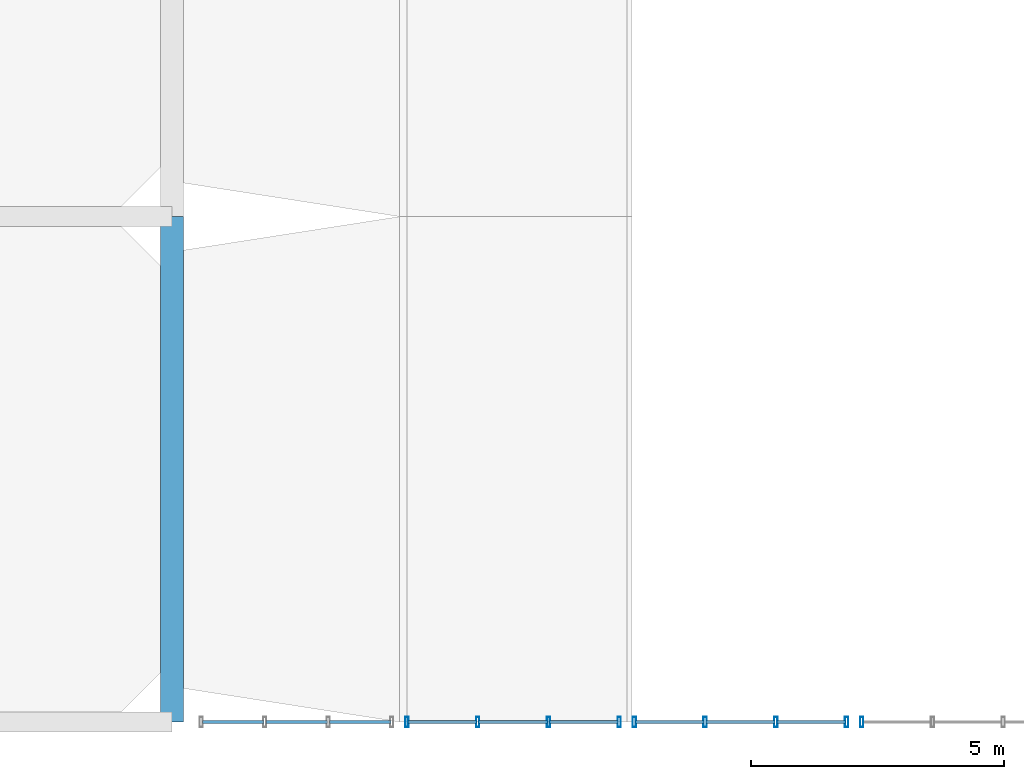
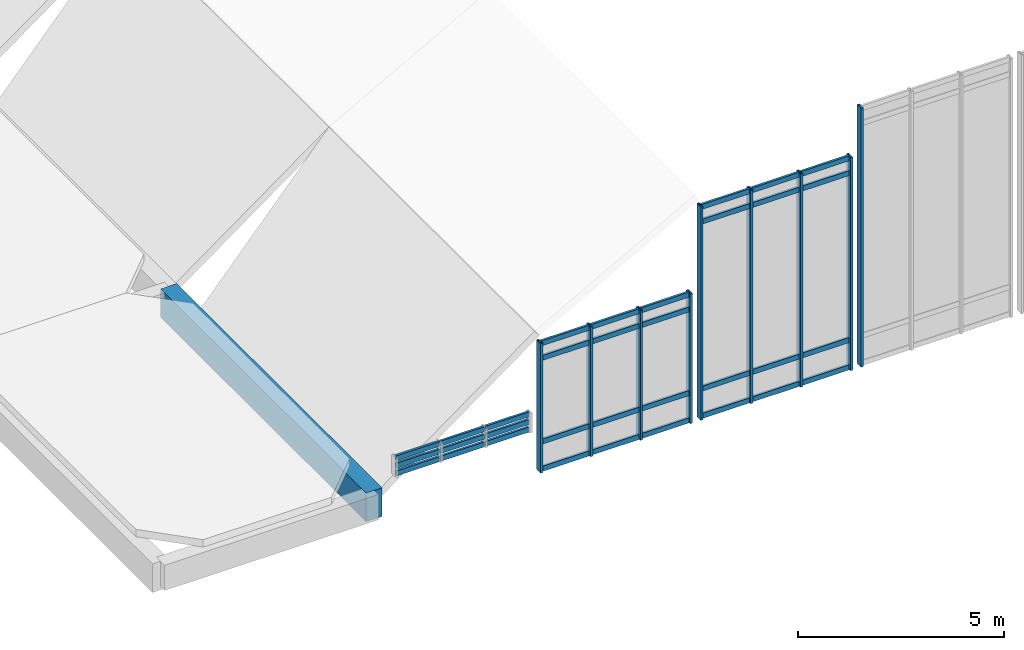
# One storey, part 42 of 82: 42 members, 1 beam, 4 elements without a shape of their own.
"""IFC4 building model written with IfcOpenShell, lengths in metres."""

from ifc_helpers import new_model, si_unit, direction, frame, origin, origin_2d, place, context, subcontext, project, spatial, rectangle, hollow_rectangle, extrude, material, layer, layer_set, material_profile, profile_set, type_object, element, aggregate, save


model = new_model("IFC4")

# Units and contexts
model_context = context("Model", 3, precision=1e-05, world=origin(), true_north=direction((0.0, 1.0)))
body_context = subcontext(model_context, "Body", "Model", "MODEL_VIEW")
ifc_project = project(units=[si_unit("LENGTHUNIT", "METRE"), si_unit("AREAUNIT", "SQUARE_METRE"), si_unit("VOLUMEUNIT", "CUBIC_METRE"), si_unit("PLANEANGLEUNIT", "RADIAN"), si_unit("MASSUNIT", "GRAM", prefix="KILO")], contexts=[model_context])

# Site, building, storey
site_placement = place(None, origin())
site = spatial("IfcSite", under=ifc_project, at=site_placement, CompositionType="ELEMENT")
building_placement = place(site_placement, origin())
building = spatial("IfcBuilding", under=site, at=building_placement, Name="Mersad Railyard Sports Hall", CompositionType="ELEMENT")
storey_placement = place(building_placement, frame((0.0, 0.0, 13.199951171875)))
storey = spatial("IfcBuildingStorey", under=building, at=storey_placement, Name="L03", CompositionType="ELEMENT", Elevation=13.199951171875)

# Curtain wall, members
ifc_material_1 = material(Name="Aluminium 6063-T6", Category="aluminium")
ifc_layer_1 = layer(ifc_material_1, 0.199951171875)
ifc_layer_set_1 = layer_set([ifc_layer_1], Name="Aluminium 6063-T6")
curtain_wall_type_1 = type_object("IfcCurtainWallType", Name="ARC-CW-CW42", PredefinedType="USERDEFINED", material=ifc_layer_set_1)
curtain_wall_1_placement = place(storey_placement, origin())
curtain_wall_1 = element("IfcCurtainWall", 1, at=curtain_wall_1_placement, inside=storey, type_object=curtain_wall_type_1, Name="Curtain wall CW42-0114", ObjectType="CURTAIN WALL", PredefinedType="USERDEFINED")
ifc_material_profile_1 = material_profile(ifc_material_1, hollow_rectangle(XDim=0.06494140625, YDim=0.199951171875, WallThickness=0.0048828125, at=origin_2d()), Name="AL MULLION 65x200x5")
ifc_profile_set_1 = profile_set([ifc_material_profile_1], Name="Aluminium 6063-T6")
member_type_1 = type_object("IfcMemberType", Name="ARC-CW-MUL02", PredefinedType="MULLION", material=ifc_profile_set_1)
member_1_placement = place(storey_placement, frame((145.85009765625, 3.5, -1.27001953125), z_axis=(0.0, 0.0, 1.0), x_axis=(1.0, 0.0, 0.0)))
member_1 = element("IfcMember", 2, at=member_1_placement, type_object=member_type_1, Name="CW42 Mullion 1", PredefinedType="MULLION", context=body_context, shape_type="SweptSolid", body=[
    extrude(hollow_rectangle(XDim=0.06494140625, YDim=0.199951171875, WallThickness=0.0048828125, at=origin_2d()), origin(), (0.0, 0.0, 1.0), 3.85205078125),
])
member_2_placement = place(storey_placement, frame((144.449951171875, 3.5, -1.27001953125), z_axis=(0.0, 0.0, 1.0), x_axis=(1.0, 0.0, 0.0)))
member_2 = element("IfcMember", 3, at=member_2_placement, type_object=member_type_1, Name="CW42 Mullion 2", PredefinedType="MULLION", context=body_context, shape_type="SweptSolid", body=[
    extrude(hollow_rectangle(XDim=0.06494140625, YDim=0.199951171875, WallThickness=0.0048828125, at=origin_2d()), origin(), (0.0, 0.0, 1.0), 3.85205078125),
])
member_3_placement = place(storey_placement, frame((143.050048828125, 3.5, -1.27001953125), z_axis=(0.0, 0.0, 1.0), x_axis=(1.0, 0.0, 0.0)))
member_3 = element("IfcMember", 4, at=member_3_placement, type_object=member_type_1, Name="CW42 Mullion 3", PredefinedType="MULLION", context=body_context, shape_type="SweptSolid", body=[
    extrude(hollow_rectangle(XDim=0.06494140625, YDim=0.199951171875, WallThickness=0.0048828125, at=origin_2d()), origin(), (0.0, 0.0, 1.0), 3.85205078125),
])
member_4_placement = place(storey_placement, frame((141.64990234375, 3.5, -1.27001953125), z_axis=(0.0, 0.0, 1.0), x_axis=(1.0, 0.0, 0.0)))
member_4 = element("IfcMember", 5, at=member_4_placement, type_object=member_type_1, Name="CW42 Mullion 4", PredefinedType="MULLION", context=body_context, shape_type="SweptSolid", body=[
    extrude(hollow_rectangle(XDim=0.06494140625, YDim=0.199951171875, WallThickness=0.0048828125, at=origin_2d()), origin(), (0.0, 0.0, 1.0), 3.85205078125),
])

ifc_layer_2 = layer(ifc_material_1, 0.199951171875)
ifc_layer_set_2 = layer_set([ifc_layer_2], Name="Aluminium 6063-T6")
curtain_wall_type_2 = type_object("IfcCurtainWallType", Name="ARC-CW-CW44", PredefinedType="USERDEFINED", material=ifc_layer_set_2)
curtain_wall_2_placement = place(storey_placement, origin())
curtain_wall_2 = element("IfcCurtainWall", 6, at=curtain_wall_2_placement, inside=storey, type_object=curtain_wall_type_2, Name="Curtain wall CW44-0116", ObjectType="CURTAIN WALL", PredefinedType="USERDEFINED")
member_5_placement = place(storey_placement, frame((150.35009765625, 3.5, -1.27001953125), z_axis=(0.0, 0.0, 1.0), x_axis=(1.0, 0.0, 0.0)))
member_5 = element("IfcMember", 7, at=member_5_placement, type_object=member_type_1, Name="CW44 Mullion 1", PredefinedType="MULLION", context=body_context, shape_type="SweptSolid", body=[
    extrude(hollow_rectangle(XDim=0.06494140625, YDim=0.199951171875, WallThickness=0.0048828125, at=origin_2d()), origin(), (0.0, 0.0, 1.0), 6.3271484375),
])
member_6_placement = place(storey_placement, frame((148.949951171875, 3.5, -1.27001953125), z_axis=(0.0, 0.0, 1.0), x_axis=(1.0, 0.0, 0.0)))
member_6 = element("IfcMember", 8, at=member_6_placement, type_object=member_type_1, Name="CW44 Mullion 2", PredefinedType="MULLION", context=body_context, shape_type="SweptSolid", body=[
    extrude(hollow_rectangle(XDim=0.06494140625, YDim=0.199951171875, WallThickness=0.0048828125, at=origin_2d()), origin(), (0.0, 0.0, 1.0), 6.3271484375),
])
member_7_placement = place(storey_placement, frame((147.550048828125, 3.5, -1.27001953125), z_axis=(0.0, 0.0, 1.0), x_axis=(1.0, 0.0, 0.0)))
member_7 = element("IfcMember", 9, at=member_7_placement, type_object=member_type_1, Name="CW44 Mullion 3", PredefinedType="MULLION", context=body_context, shape_type="SweptSolid", body=[
    extrude(hollow_rectangle(XDim=0.06494140625, YDim=0.199951171875, WallThickness=0.0048828125, at=origin_2d()), origin(), (0.0, 0.0, 1.0), 6.3271484375),
])
member_8_placement = place(storey_placement, frame((146.14990234375, 3.5, -1.27001953125), z_axis=(0.0, 0.0, 1.0), x_axis=(1.0, 0.0, 0.0)))
member_8 = element("IfcMember", 10, at=member_8_placement, type_object=member_type_1, Name="CW44 Mullion 4", PredefinedType="MULLION", context=body_context, shape_type="SweptSolid", body=[
    extrude(hollow_rectangle(XDim=0.06494140625, YDim=0.199951171875, WallThickness=0.0048828125, at=origin_2d()), origin(), (0.0, 0.0, 1.0), 6.3271484375),
])

# Curtain wall, member
ifc_layer_3 = layer(ifc_material_1, 0.199951171875)
ifc_layer_set_3 = layer_set([ifc_layer_3], Name="Aluminium 6063-T6")
curtain_wall_type_3 = type_object("IfcCurtainWallType", Name="ARC-CW-CW46", PredefinedType="USERDEFINED", material=ifc_layer_set_3)
curtain_wall_3_placement = place(storey_placement, origin())
curtain_wall_3 = element("IfcCurtainWall", 11, at=curtain_wall_3_placement, inside=storey, type_object=curtain_wall_type_3, Name="Curtain wall CW46-0118", ObjectType="CURTAIN WALL", PredefinedType="USERDEFINED")
member_9_placement = place(storey_placement, frame((150.64990234375, 3.5, -1.27001953125), z_axis=(0.0, 0.0, 1.0), x_axis=(1.0, 0.0, 0.0)))
member_9 = element("IfcMember", 12, at=member_9_placement, type_object=member_type_1, Name="CW46 Mullion 4", PredefinedType="MULLION", context=body_context, shape_type="SweptSolid", body=[
    extrude(hollow_rectangle(XDim=0.06494140625, YDim=0.199951171875, WallThickness=0.0048828125, at=origin_2d()), origin(), (0.0, 0.0, 1.0), 7.68505859375),
])
aggregate(curtain_wall_3, [member_9])

# Curtain wall, members
ifc_layer_4 = layer(ifc_material_1, 0.199951171875)
ifc_layer_set_4 = layer_set([ifc_layer_4], Name="Aluminium 6063-T6")
curtain_wall_type_4 = type_object("IfcCurtainWallType", Name="ARC-CW-CW40", PredefinedType="USERDEFINED", material=ifc_layer_set_4)
curtain_wall_4_placement = place(storey_placement, origin())
curtain_wall_4 = element("IfcCurtainWall", 13, at=curtain_wall_4_placement, inside=storey, type_object=curtain_wall_type_4, Name="Curtain wall CW40-0112", ObjectType="CURTAIN WALL", PredefinedType="USERDEFINED")
ifc_material_profile_2 = material_profile(ifc_material_1, hollow_rectangle(XDim=0.06494140625, YDim=0.14990234375, WallThickness=0.00439453125, at=origin_2d()), Name="AL TRANSOM 65x150x4.5")
ifc_profile_set_2 = profile_set([ifc_material_profile_2], Name="Aluminium 6063-T6")
member_type_2 = type_object("IfcMemberType", Name="ARC-CW-TRN02", PredefinedType="USERDEFINED", material=ifc_profile_set_2)
member_10_placement = place(storey_placement, frame((141.330078125, 3.5, 0.090087890625), z_axis=(-1.0, 0.0, 0.0), x_axis=(0.0, -1.0, 0.0)))
member_10 = element("IfcMember", 14, at=member_10_placement, type_object=member_type_2, Name="CW40 Transom 1-1", ObjectType="TRANSOM", PredefinedType="USERDEFINED", context=body_context, shape_type="SweptSolid", body=[
    extrude(hollow_rectangle(XDim=0.06494140625, YDim=0.14990234375, WallThickness=0.00439453125, at=origin_2d()), origin(), (0.0, 0.0, 1.0), 1.216796875),
])
member_11_placement = place(storey_placement, frame((140.0732421875, 3.5, 0.090087890625), z_axis=(-1.0, 0.0, 0.0), x_axis=(0.0, -1.0, 0.0)))
member_11 = element("IfcMember", 15, at=member_11_placement, type_object=member_type_2, Name="CW40 Transom 1-2", ObjectType="TRANSOM", PredefinedType="USERDEFINED", context=body_context, shape_type="SweptSolid", body=[
    extrude(hollow_rectangle(XDim=0.06494140625, YDim=0.14990234375, WallThickness=0.00439453125, at=origin_2d()), origin(), (0.0, 0.0, 1.0), 1.216552734375),
])
member_12_placement = place(storey_placement, frame((138.816650390625, 3.5, 0.090087890625), z_axis=(-1.0, 0.0, 0.0), x_axis=(0.0, -1.0, 0.0)))
member_12 = element("IfcMember", 16, at=member_12_placement, type_object=member_type_2, Name="CW40 Transom 1-3", ObjectType="TRANSOM", PredefinedType="USERDEFINED", context=body_context, shape_type="SweptSolid", body=[
    extrude(hollow_rectangle(XDim=0.06494140625, YDim=0.14990234375, WallThickness=0.00439453125, at=origin_2d()), origin(), (0.0, 0.0, 1.0), 1.216552734375),
])
member_13_placement = place(storey_placement, frame((141.330078125, 3.5, 0.31494140625), z_axis=(-1.0, 0.0, 0.0), x_axis=(0.0, -1.0, 0.0)))
member_13 = element("IfcMember", 17, at=member_13_placement, type_object=member_type_2, Name="CW40 Transom 2-1", ObjectType="TRANSOM", PredefinedType="USERDEFINED", context=body_context, shape_type="SweptSolid", body=[
    extrude(hollow_rectangle(XDim=0.06494140625, YDim=0.14990234375, WallThickness=0.00439453125, at=origin_2d()), origin(), (0.0, 0.0, 1.0), 1.216796875),
])
member_14_placement = place(storey_placement, frame((140.0732421875, 3.5, 0.31494140625), z_axis=(-1.0, 0.0, 0.0), x_axis=(0.0, -1.0, 0.0)))
member_14 = element("IfcMember", 18, at=member_14_placement, type_object=member_type_2, Name="CW40 Transom 2-2", ObjectType="TRANSOM", PredefinedType="USERDEFINED", context=body_context, shape_type="SweptSolid", body=[
    extrude(hollow_rectangle(XDim=0.06494140625, YDim=0.14990234375, WallThickness=0.00439453125, at=origin_2d()), origin(), (0.0, 0.0, 1.0), 1.216552734375),
])
member_15_placement = place(storey_placement, frame((138.816650390625, 3.5, 0.31494140625), z_axis=(-1.0, 0.0, 0.0), x_axis=(0.0, -1.0, 0.0)))
member_15 = element("IfcMember", 19, at=member_15_placement, type_object=member_type_2, Name="CW40 Transom 2-3", ObjectType="TRANSOM", PredefinedType="USERDEFINED", context=body_context, shape_type="SweptSolid", body=[
    extrude(hollow_rectangle(XDim=0.06494140625, YDim=0.14990234375, WallThickness=0.00439453125, at=origin_2d()), origin(), (0.0, 0.0, 1.0), 1.216552734375),
])
member_16_placement = place(storey_placement, frame((141.330078125, 3.5, 0.5400390625), z_axis=(-1.0, 0.0, 0.0), x_axis=(0.0, -1.0, 0.0)))
member_16 = element("IfcMember", 20, at=member_16_placement, type_object=member_type_2, Name="CW40 Transom 3-1", ObjectType="TRANSOM", PredefinedType="USERDEFINED", context=body_context, shape_type="SweptSolid", body=[
    extrude(hollow_rectangle(XDim=0.06494140625, YDim=0.14990234375, WallThickness=0.00439453125, at=origin_2d()), origin(), (0.0, 0.0, 1.0), 1.216796875),
])
member_17_placement = place(storey_placement, frame((140.0732421875, 3.5, 0.5400390625), z_axis=(-1.0, 0.0, 0.0), x_axis=(0.0, -1.0, 0.0)))
member_17 = element("IfcMember", 21, at=member_17_placement, type_object=member_type_2, Name="CW40 Transom 3-2", ObjectType="TRANSOM", PredefinedType="USERDEFINED", context=body_context, shape_type="SweptSolid", body=[
    extrude(hollow_rectangle(XDim=0.06494140625, YDim=0.14990234375, WallThickness=0.00439453125, at=origin_2d()), origin(), (0.0, 0.0, 1.0), 1.216552734375),
])
member_18_placement = place(storey_placement, frame((138.816650390625, 3.5, 0.5400390625), z_axis=(-1.0, 0.0, 0.0), x_axis=(0.0, -1.0, 0.0)))
member_18 = element("IfcMember", 22, at=member_18_placement, type_object=member_type_2, Name="CW40 Transom 3-3", ObjectType="TRANSOM", PredefinedType="USERDEFINED", context=body_context, shape_type="SweptSolid", body=[
    extrude(hollow_rectangle(XDim=0.06494140625, YDim=0.14990234375, WallThickness=0.00439453125, at=origin_2d()), origin(), (0.0, 0.0, 1.0), 1.216552734375),
])
aggregate(curtain_wall_4, [member_10, member_11, member_12, member_13, member_14, member_15, member_16, member_17, member_18])

# Member
member_19_placement = place(storey_placement, frame((145.830078125, 3.5, -1.2099609375), z_axis=(-1.0, 0.0, 0.0), x_axis=(0.0, -1.0, 0.0)))
member_19 = element("IfcMember", 23, at=member_19_placement, type_object=member_type_2, Name="CW42 Transom 1-1", ObjectType="TRANSOM", PredefinedType="USERDEFINED", context=body_context, shape_type="SweptSolid", body=[
    extrude(hollow_rectangle(XDim=0.06494140625, YDim=0.14990234375, WallThickness=0.00439453125, at=origin_2d()), origin(), (0.0, 0.0, 1.0), 1.360107421875),
])

member_20_placement = place(storey_placement, frame((144.429931640625, 3.5, -1.2099609375), z_axis=(-1.0, 0.0, 0.0), x_axis=(0.0, -1.0, 0.0)))
member_20 = element("IfcMember", 24, at=member_20_placement, type_object=member_type_2, Name="CW42 Transom 1-2", ObjectType="TRANSOM", PredefinedType="USERDEFINED", context=body_context, shape_type="SweptSolid", body=[
    extrude(hollow_rectangle(XDim=0.06494140625, YDim=0.14990234375, WallThickness=0.00439453125, at=origin_2d()), origin(), (0.0, 0.0, 1.0), 1.35986328125),
])

member_21_placement = place(storey_placement, frame((143.030029296875, 3.5, -1.2099609375), z_axis=(-1.0, 0.0, 0.0), x_axis=(0.0, -1.0, 0.0)))
member_21 = element("IfcMember", 25, at=member_21_placement, type_object=member_type_2, Name="CW42 Transom 1-3", ObjectType="TRANSOM", PredefinedType="USERDEFINED", context=body_context, shape_type="SweptSolid", body=[
    extrude(hollow_rectangle(XDim=0.06494140625, YDim=0.14990234375, WallThickness=0.00439453125, at=origin_2d()), origin(), (0.0, 0.0, 1.0), 1.360107421875),
])

member_22_placement = place(storey_placement, frame((145.830078125, 3.5, -0.39990234375), z_axis=(-1.0, 0.0, 0.0), x_axis=(0.0, -1.0, 0.0)))
member_22 = element("IfcMember", 26, at=member_22_placement, type_object=member_type_2, Name="CW42 Transom 2-1", ObjectType="TRANSOM", PredefinedType="USERDEFINED", context=body_context, shape_type="SweptSolid", body=[
    extrude(hollow_rectangle(XDim=0.06494140625, YDim=0.14990234375, WallThickness=0.00439453125, at=origin_2d()), origin(), (0.0, 0.0, 1.0), 1.360107421875),
])

member_23_placement = place(storey_placement, frame((144.429931640625, 3.5, -0.39990234375), z_axis=(-1.0, 0.0, 0.0), x_axis=(0.0, -1.0, 0.0)))
member_23 = element("IfcMember", 27, at=member_23_placement, type_object=member_type_2, Name="CW42 Transom 2-2", ObjectType="TRANSOM", PredefinedType="USERDEFINED", context=body_context, shape_type="SweptSolid", body=[
    extrude(hollow_rectangle(XDim=0.06494140625, YDim=0.14990234375, WallThickness=0.00439453125, at=origin_2d()), origin(), (0.0, 0.0, 1.0), 1.35986328125),
])

member_24_placement = place(storey_placement, frame((143.030029296875, 3.5, -0.39990234375), z_axis=(-1.0, 0.0, 0.0), x_axis=(0.0, -1.0, 0.0)))
member_24 = element("IfcMember", 28, at=member_24_placement, type_object=member_type_2, Name="CW42 Transom 2-3", ObjectType="TRANSOM", PredefinedType="USERDEFINED", context=body_context, shape_type="SweptSolid", body=[
    extrude(hollow_rectangle(XDim=0.06494140625, YDim=0.14990234375, WallThickness=0.00439453125, at=origin_2d()), origin(), (0.0, 0.0, 1.0), 1.360107421875),
])

member_25_placement = place(storey_placement, frame((145.830078125, 3.5, 2.08203125), z_axis=(-1.0, 0.0, 0.0), x_axis=(0.0, -1.0, 0.0)))
member_25 = element("IfcMember", 29, at=member_25_placement, type_object=member_type_2, Name="CW42 Transom 3-1", ObjectType="TRANSOM", PredefinedType="USERDEFINED", context=body_context, shape_type="SweptSolid", body=[
    extrude(hollow_rectangle(XDim=0.06494140625, YDim=0.14990234375, WallThickness=0.00439453125, at=origin_2d()), origin(), (0.0, 0.0, 1.0), 1.360107421875),
])

member_26_placement = place(storey_placement, frame((144.429931640625, 3.5, 2.08203125), z_axis=(-1.0, 0.0, 0.0), x_axis=(0.0, -1.0, 0.0)))
member_26 = element("IfcMember", 30, at=member_26_placement, type_object=member_type_2, Name="CW42 Transom 3-2", ObjectType="TRANSOM", PredefinedType="USERDEFINED", context=body_context, shape_type="SweptSolid", body=[
    extrude(hollow_rectangle(XDim=0.06494140625, YDim=0.14990234375, WallThickness=0.00439453125, at=origin_2d()), origin(), (0.0, 0.0, 1.0), 1.35986328125),
])

member_27_placement = place(storey_placement, frame((143.030029296875, 3.5, 2.08203125), z_axis=(-1.0, 0.0, 0.0), x_axis=(0.0, -1.0, 0.0)))
member_27 = element("IfcMember", 31, at=member_27_placement, type_object=member_type_2, Name="CW42 Transom 3-3", ObjectType="TRANSOM", PredefinedType="USERDEFINED", context=body_context, shape_type="SweptSolid", body=[
    extrude(hollow_rectangle(XDim=0.06494140625, YDim=0.14990234375, WallThickness=0.00439453125, at=origin_2d()), origin(), (0.0, 0.0, 1.0), 1.360107421875),
])

member_28_placement = place(storey_placement, frame((145.830078125, 3.5, 2.52197265625), z_axis=(-1.0, 0.0, 0.0), x_axis=(0.0, -1.0, 0.0)))
member_28 = element("IfcMember", 32, at=member_28_placement, type_object=member_type_2, Name="CW42 Transom 4-1", ObjectType="TRANSOM", PredefinedType="USERDEFINED", context=body_context, shape_type="SweptSolid", body=[
    extrude(hollow_rectangle(XDim=0.06494140625, YDim=0.14990234375, WallThickness=0.00439453125, at=origin_2d()), origin(), (0.0, 0.0, 1.0), 1.360107421875),
])

member_29_placement = place(storey_placement, frame((144.429931640625, 3.5, 2.52197265625), z_axis=(-1.0, 0.0, 0.0), x_axis=(0.0, -1.0, 0.0)))
member_29 = element("IfcMember", 33, at=member_29_placement, type_object=member_type_2, Name="CW42 Transom 4-2", ObjectType="TRANSOM", PredefinedType="USERDEFINED", context=body_context, shape_type="SweptSolid", body=[
    extrude(hollow_rectangle(XDim=0.06494140625, YDim=0.14990234375, WallThickness=0.00439453125, at=origin_2d()), origin(), (0.0, 0.0, 1.0), 1.35986328125),
])

member_30_placement = place(storey_placement, frame((143.030029296875, 3.5, 2.52197265625), z_axis=(-1.0, 0.0, 0.0), x_axis=(0.0, -1.0, 0.0)))
member_30 = element("IfcMember", 34, at=member_30_placement, type_object=member_type_2, Name="CW42 Transom 4-3", ObjectType="TRANSOM", PredefinedType="USERDEFINED", context=body_context, shape_type="SweptSolid", body=[
    extrude(hollow_rectangle(XDim=0.06494140625, YDim=0.14990234375, WallThickness=0.00439453125, at=origin_2d()), origin(), (0.0, 0.0, 1.0), 1.360107421875),
])

aggregate(curtain_wall_1, [member_1, member_2, member_3, member_4, member_19, member_20, member_21, member_22, member_23, member_24, member_25, member_26, member_27, member_28, member_29, member_30])

member_31_placement = place(storey_placement, frame((150.330078125, 3.5, -1.2099609375), z_axis=(-1.0, 0.0, 0.0), x_axis=(0.0, -1.0, 0.0)))
member_31 = element("IfcMember", 35, at=member_31_placement, type_object=member_type_2, Name="CW44 Transom 1-1", ObjectType="TRANSOM", PredefinedType="USERDEFINED", context=body_context, shape_type="SweptSolid", body=[
    extrude(hollow_rectangle(XDim=0.06494140625, YDim=0.14990234375, WallThickness=0.00439453125, at=origin_2d()), origin(), (0.0, 0.0, 1.0), 1.360107421875),
])

member_32_placement = place(storey_placement, frame((148.929931640625, 3.5, -1.2099609375), z_axis=(-1.0, 0.0, 0.0), x_axis=(0.0, -1.0, 0.0)))
member_32 = element("IfcMember", 36, at=member_32_placement, type_object=member_type_2, Name="CW44 Transom 1-2", ObjectType="TRANSOM", PredefinedType="USERDEFINED", context=body_context, shape_type="SweptSolid", body=[
    extrude(hollow_rectangle(XDim=0.06494140625, YDim=0.14990234375, WallThickness=0.00439453125, at=origin_2d()), origin(), (0.0, 0.0, 1.0), 1.35986328125),
])

member_33_placement = place(storey_placement, frame((147.530029296875, 3.5, -1.2099609375), z_axis=(-1.0, 0.0, 0.0), x_axis=(0.0, -1.0, 0.0)))
member_33 = element("IfcMember", 37, at=member_33_placement, type_object=member_type_2, Name="CW44 Transom 1-3", ObjectType="TRANSOM", PredefinedType="USERDEFINED", context=body_context, shape_type="SweptSolid", body=[
    extrude(hollow_rectangle(XDim=0.06494140625, YDim=0.14990234375, WallThickness=0.00439453125, at=origin_2d()), origin(), (0.0, 0.0, 1.0), 1.360107421875),
])

member_34_placement = place(storey_placement, frame((150.330078125, 3.5, -0.39990234375), z_axis=(-1.0, 0.0, 0.0), x_axis=(0.0, -1.0, 0.0)))
member_34 = element("IfcMember", 38, at=member_34_placement, type_object=member_type_2, Name="CW44 Transom 2-1", ObjectType="TRANSOM", PredefinedType="USERDEFINED", context=body_context, shape_type="SweptSolid", body=[
    extrude(hollow_rectangle(XDim=0.06494140625, YDim=0.14990234375, WallThickness=0.00439453125, at=origin_2d()), origin(), (0.0, 0.0, 1.0), 1.360107421875),
])

member_35_placement = place(storey_placement, frame((148.929931640625, 3.5, -0.39990234375), z_axis=(-1.0, 0.0, 0.0), x_axis=(0.0, -1.0, 0.0)))
member_35 = element("IfcMember", 39, at=member_35_placement, type_object=member_type_2, Name="CW44 Transom 2-2", ObjectType="TRANSOM", PredefinedType="USERDEFINED", context=body_context, shape_type="SweptSolid", body=[
    extrude(hollow_rectangle(XDim=0.06494140625, YDim=0.14990234375, WallThickness=0.00439453125, at=origin_2d()), origin(), (0.0, 0.0, 1.0), 1.35986328125),
])

member_36_placement = place(storey_placement, frame((147.530029296875, 3.5, -0.39990234375), z_axis=(-1.0, 0.0, 0.0), x_axis=(0.0, -1.0, 0.0)))
member_36 = element("IfcMember", 40, at=member_36_placement, type_object=member_type_2, Name="CW44 Transom 2-3", ObjectType="TRANSOM", PredefinedType="USERDEFINED", context=body_context, shape_type="SweptSolid", body=[
    extrude(hollow_rectangle(XDim=0.06494140625, YDim=0.14990234375, WallThickness=0.00439453125, at=origin_2d()), origin(), (0.0, 0.0, 1.0), 1.360107421875),
])

member_37_placement = place(storey_placement, frame((150.330078125, 3.5, 4.55712890625), z_axis=(-1.0, 0.0, 0.0), x_axis=(0.0, -1.0, 0.0)))
member_37 = element("IfcMember", 41, at=member_37_placement, type_object=member_type_2, Name="CW44 Transom 3-1", ObjectType="TRANSOM", PredefinedType="USERDEFINED", context=body_context, shape_type="SweptSolid", body=[
    extrude(hollow_rectangle(XDim=0.06494140625, YDim=0.14990234375, WallThickness=0.00439453125, at=origin_2d()), origin(), (0.0, 0.0, 1.0), 1.360107421875),
])

member_38_placement = place(storey_placement, frame((148.929931640625, 3.5, 4.55712890625), z_axis=(-1.0, 0.0, 0.0), x_axis=(0.0, -1.0, 0.0)))
member_38 = element("IfcMember", 42, at=member_38_placement, type_object=member_type_2, Name="CW44 Transom 3-2", ObjectType="TRANSOM", PredefinedType="USERDEFINED", context=body_context, shape_type="SweptSolid", body=[
    extrude(hollow_rectangle(XDim=0.06494140625, YDim=0.14990234375, WallThickness=0.00439453125, at=origin_2d()), origin(), (0.0, 0.0, 1.0), 1.35986328125),
])

member_39_placement = place(storey_placement, frame((147.530029296875, 3.5, 4.55712890625), z_axis=(-1.0, 0.0, 0.0), x_axis=(0.0, -1.0, 0.0)))
member_39 = element("IfcMember", 43, at=member_39_placement, type_object=member_type_2, Name="CW44 Transom 3-3", ObjectType="TRANSOM", PredefinedType="USERDEFINED", context=body_context, shape_type="SweptSolid", body=[
    extrude(hollow_rectangle(XDim=0.06494140625, YDim=0.14990234375, WallThickness=0.00439453125, at=origin_2d()), origin(), (0.0, 0.0, 1.0), 1.360107421875),
])

member_40_placement = place(storey_placement, frame((150.330078125, 3.5, 4.9970703125), z_axis=(-1.0, 0.0, 0.0), x_axis=(0.0, -1.0, 0.0)))
member_40 = element("IfcMember", 44, at=member_40_placement, type_object=member_type_2, Name="CW44 Transom 4-1", ObjectType="TRANSOM", PredefinedType="USERDEFINED", context=body_context, shape_type="SweptSolid", body=[
    extrude(hollow_rectangle(XDim=0.06494140625, YDim=0.14990234375, WallThickness=0.00439453125, at=origin_2d()), origin(), (0.0, 0.0, 1.0), 1.360107421875),
])

member_41_placement = place(storey_placement, frame((148.929931640625, 3.5, 4.9970703125), z_axis=(-1.0, 0.0, 0.0), x_axis=(0.0, -1.0, 0.0)))
member_41 = element("IfcMember", 45, at=member_41_placement, type_object=member_type_2, Name="CW44 Transom 4-2", ObjectType="TRANSOM", PredefinedType="USERDEFINED", context=body_context, shape_type="SweptSolid", body=[
    extrude(hollow_rectangle(XDim=0.06494140625, YDim=0.14990234375, WallThickness=0.00439453125, at=origin_2d()), origin(), (0.0, 0.0, 1.0), 1.35986328125),
])

member_42_placement = place(storey_placement, frame((147.530029296875, 3.5, 4.9970703125), z_axis=(-1.0, 0.0, 0.0), x_axis=(0.0, -1.0, 0.0)))
member_42 = element("IfcMember", 46, at=member_42_placement, type_object=member_type_2, Name="CW44 Transom 4-3", ObjectType="TRANSOM", PredefinedType="USERDEFINED", context=body_context, shape_type="SweptSolid", body=[
    extrude(hollow_rectangle(XDim=0.06494140625, YDim=0.14990234375, WallThickness=0.00439453125, at=origin_2d()), origin(), (0.0, 0.0, 1.0), 1.360107421875),
])

aggregate(curtain_wall_2, [member_5, member_6, member_7, member_8, member_31, member_32, member_33, member_34, member_35, member_36, member_37, member_38, member_39, member_40, member_41, member_42])

# Beam
ifc_material_2 = material(Name="Concrete C40/50", Category="concrete")
ifc_material_profile_3 = material_profile(ifc_material_2, rectangle(XDim=0.449951171875, YDim=0.85009765625, at=origin_2d()), Name="RC 450x850")
ifc_profile_set_3 = profile_set([ifc_material_profile_3], Name="Concrete C40/50")
beam_type = type_object("IfcBeamType", Name="STR-BM-B02", PredefinedType="BEAM", material=ifc_profile_set_3)
beam_placement = place(storey_placement, frame((137.0, 3.5, -0.64501953125), z_axis=(0.0, 1.0, 0.0), x_axis=(-1.0, 0.0, 0.0)))
element("IfcBeam", 47, at=beam_placement, inside=storey, type_object=beam_type, Name="Beam B02-0676", PredefinedType="BEAM", context=body_context, shape_type="SweptSolid", body=[
    extrude(rectangle(XDim=0.449951171875, YDim=0.85009765625, at=origin_2d()), origin(), (0.0, 0.0, 1.0), 10.0),
])

save(model, "model.ifc")
